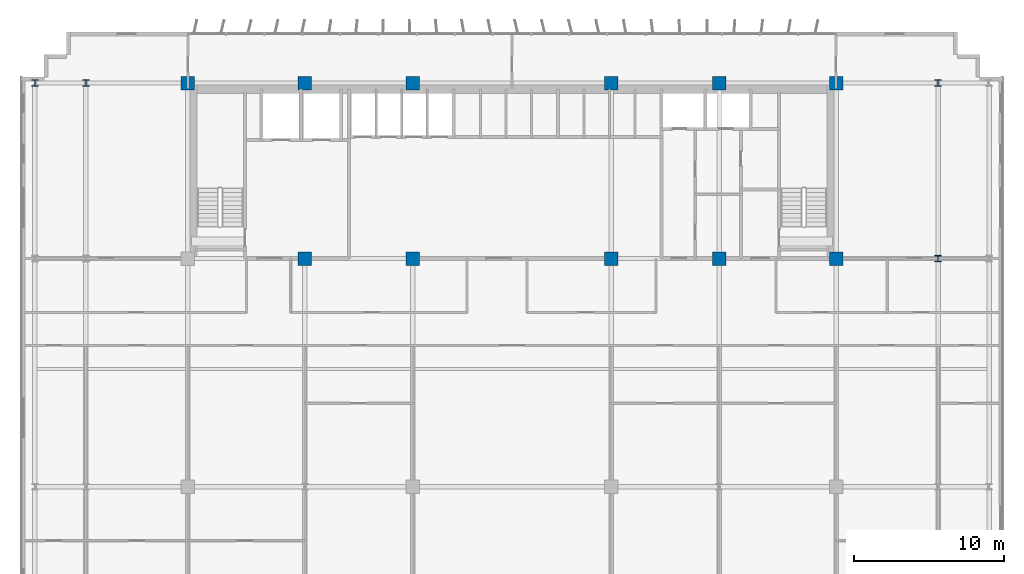
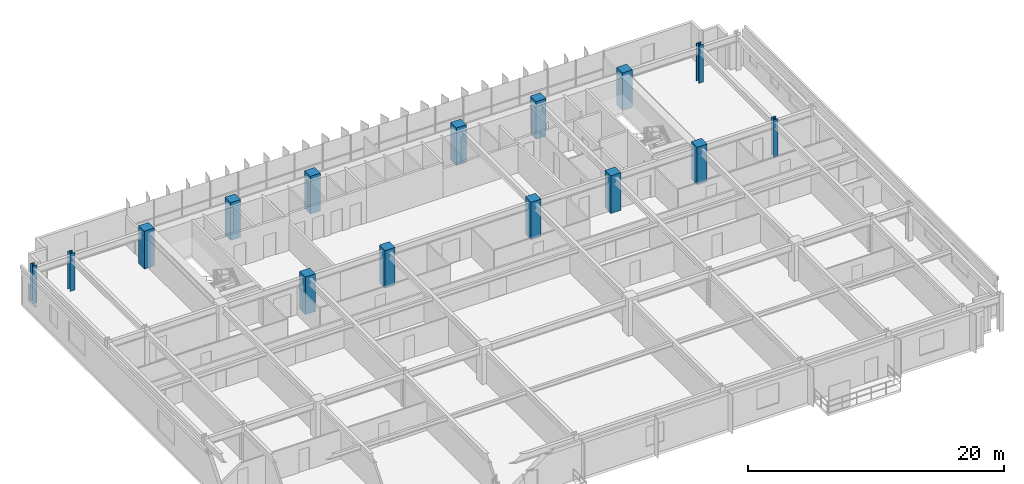
# One storey, part 2 of 21: 15 columns.
"""IFC4 building model written with IfcOpenShell, lengths in metres."""

from ifc_helpers import new_model, si_unit, direction, frame, origin, origin_2d, place, context, subcontext, project, spatial, rectangle, i_section, extrude, source, transform, mapped, material, material_profile, profile_set, type_object, element, save


model = new_model("IFC4")

# Units and contexts
model_context = context("Model", 3, precision=1e-05, world=origin(), true_north=direction((0.0, 1.0)))
body_context = subcontext(model_context, "Body", "Model", "MODEL_VIEW")
ifc_project = project(units=[si_unit("LENGTHUNIT", "METRE"), si_unit("AREAUNIT", "SQUARE_METRE"), si_unit("VOLUMEUNIT", "CUBIC_METRE"), si_unit("PLANEANGLEUNIT", "RADIAN"), si_unit("MASSUNIT", "GRAM", prefix="KILO")], contexts=[model_context])

# Site, building, storey
site_placement = place(None, origin())
site = spatial("IfcSite", under=ifc_project, at=site_placement, CompositionType="ELEMENT")
building_placement = place(site_placement, origin())
building = spatial("IfcBuilding", under=site, at=building_placement, Name="Trelvane Seafront Commons", CompositionType="ELEMENT")
storey_placement = place(building_placement, frame((0.0, 0.0, 41.5)))
storey = spatial("IfcBuildingStorey", under=building, at=storey_placement, Name="L10", CompositionType="ELEMENT", Elevation=41.5)

# Columns
ifc_material_1 = material(Name="Steel SM355 (S355)", Category="steel")
ifc_material_profile_1 = material_profile(ifc_material_1, i_section(OverallWidth=0.419921875, OverallDepth=0.419921875, WebThickness=0.02587890625, FlangeThickness=0.0400390625, at=origin_2d()), Name="HD-420x420x26x40")
ifc_profile_set_1 = profile_set([ifc_material_profile_1], Name="Steel SM355 (S355)")
column_type_1 = type_object("IfcColumnType", Name="STR-COL-HD420", PredefinedType="COLUMN", material=ifc_profile_set_1)
shared_shape_1 = source(origin(), body_context, "Body", "SweptSolid", [
    extrude(i_section(OverallWidth=0.419921875, OverallDepth=0.419921875, WebThickness=0.02587890625, FlangeThickness=0.0400390625, at=origin_2d()), origin(), (0.0, 0.0, 1.0), 3.60009765625),
])
for number, where, z_axis, x_axis, name in (
    (1, (5.39990234375, 45.10009765625, 0.0), (0.0, 0.0, 1.0), (1.0, 0.0, 0.0), "L10 Column TC-CN5.4"),
    (2, (8.800048828125, 45.10009765625, 0.0), (0.0, 0.0, 1.0), (1.0, 0.0, 0.0), "L10 Column TC-CN8.8"),
    (3, (65.60009765625, 33.39990234375, 0.0), (0.0, 0.0, 1.0), (1.0, 0.0, 0.0), "L10 Column TC-CS65.6"),
    (4, (65.60009765625, 45.10009765625, 0.0), (0.0, 0.0, 1.0), (1.0, 0.0, 0.0), "L10 Column TC-CN65.6"),
):
    element("IfcColumn", number, at=place(storey_placement, frame(where, z_axis=z_axis, x_axis=x_axis)), inside=storey, type_object=column_type_1, Name=name, PredefinedType="COLUMN", context=body_context, shape_type="MappedRepresentation", body=[
        mapped(shared_shape_1, transform((0.0, 0.0, 0.0), x_axis=(1.0, 0.0, 0.0), y_axis=(0.0, 1.0, 0.0), z_axis=(0.0, 0.0, 1.0), scale=1.0)),
    ])
ifc_material_2 = material(Name="Concrete C60/75", Category="concrete")
ifc_material_profile_2 = material_profile(ifc_material_2, rectangle(XDim=0.89990234375, YDim=0.89990234375, at=origin_2d()), Name="RC-900x900")
ifc_profile_set_2 = profile_set([ifc_material_profile_2], Name="Concrete C60/75")
column_type_2 = type_object("IfcColumnType", Name="STR-COL-RC900", PredefinedType="COLUMN", material=ifc_profile_set_2)
shared_shape_2 = source(origin(), body_context, "Body", "SweptSolid", [
    extrude(rectangle(XDim=0.89990234375, YDim=0.89990234375, at=origin_2d()), origin(), (0.0, 0.0, 1.0), 3.60009765625),
])
for number, where, z_axis, x_axis, name in (
    (5, (15.60009765625, 45.10009765625, 0.0), (0.0, 0.0, 1.0), (1.0, 0.0, 0.0), "L10 Column TC-CN15.6"),
    (6, (23.39990234375, 33.39990234375, 0.0), (0.0, 0.0, 1.0), (1.0, 0.0, 0.0), "L10 Column TC-CS23.4"),
    (7, (23.39990234375, 45.10009765625, 0.0), (0.0, 0.0, 1.0), (1.0, 0.0, 0.0), "L10 Column TC-CN23.4"),
    (8, (30.60009765625, 33.39990234375, 0.0), (0.0, 0.0, 1.0), (1.0, 0.0, 0.0), "L10 Column TC-CS30.6"),
    (9, (30.60009765625, 45.10009765625, 0.0), (0.0, 0.0, 1.0), (1.0, 0.0, 0.0), "L10 Column TC-CN30.6"),
    (10, (43.800048828125, 33.39990234375, 0.0), (0.0, 0.0, 1.0), (1.0, 0.0, 0.0), "L10 Column TC-CS43.8"),
    (11, (43.800048828125, 45.10009765625, 0.0), (0.0, 0.0, 1.0), (1.0, 0.0, 0.0), "L10 Column TC-CN43.8"),
    (12, (51.0, 33.39990234375, 0.0), (0.0, 0.0, 1.0), (1.0, 0.0, 0.0), "L10 Column TC-CS51.0"),
    (13, (51.0, 45.10009765625, 0.0), (0.0, 0.0, 1.0), (1.0, 0.0, 0.0), "L10 Column TC-CN51.0"),
    (14, (58.800048828125, 33.39990234375, 0.0), (0.0, 0.0, 1.0), (1.0, 0.0, 0.0), "L10 Column TC-CS58.8"),
    (15, (58.800048828125, 45.10009765625, 0.0), (0.0, 0.0, 1.0), (1.0, 0.0, 0.0), "L10 Column TC-CN58.8"),
):
    element("IfcColumn", number, at=place(storey_placement, frame(where, z_axis=z_axis, x_axis=x_axis)), inside=storey, type_object=column_type_2, Name=name, PredefinedType="COLUMN", context=body_context, shape_type="MappedRepresentation", body=[
        mapped(shared_shape_2, transform((0.0, 0.0, 0.0), x_axis=(1.0, 0.0, 0.0), y_axis=(0.0, 1.0, 0.0), z_axis=(0.0, 0.0, 1.0), scale=1.0)),
    ])

save(model, "model.ifc")
